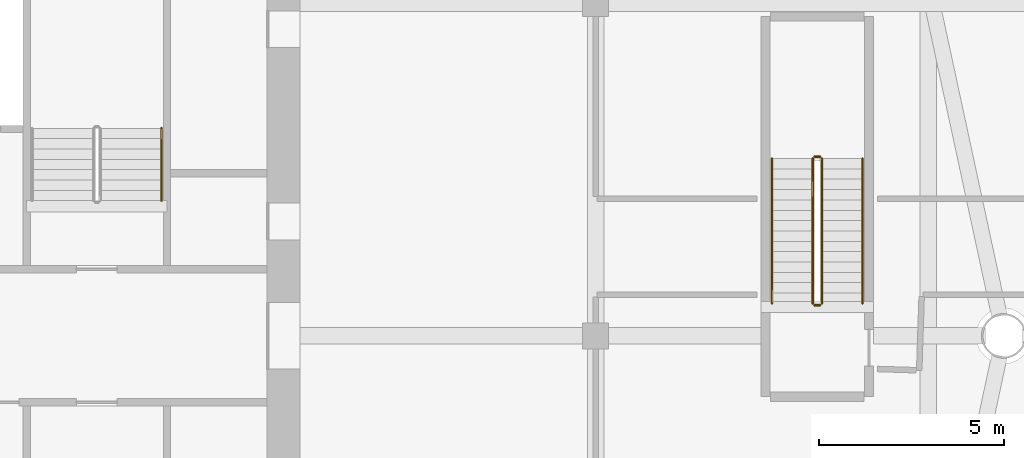
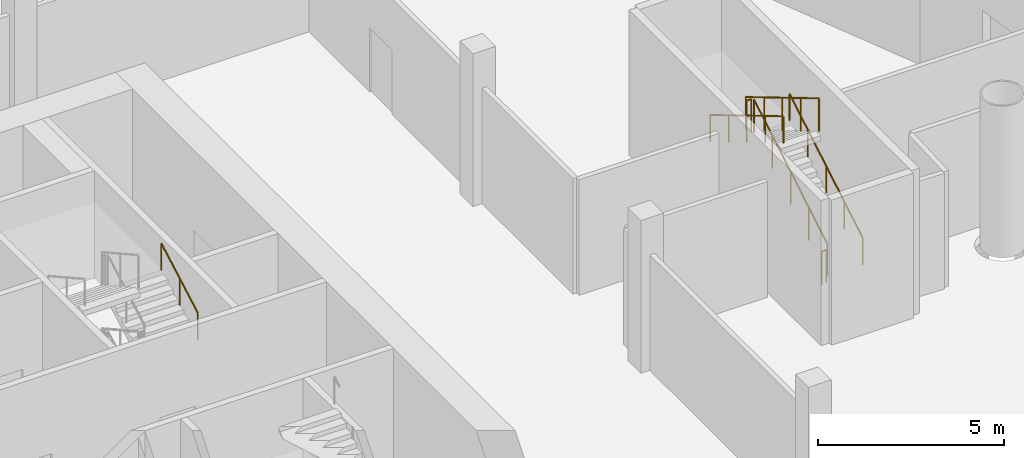
# One storey, part 21 of 22: 7 railings.
"""IFC4 building model written with IfcOpenShell, lengths in metres."""

import ifcopenshell
import ifcopenshell.guid

model = None  # the IFC model being written
_history = None  # IfcOwnerHistory: only IFC2X3 demands one
_inside = {}  # id of a spatial element -> (the spatial element, [elements in it])
_under = {}  # id of a project, library or spatial element -> (it, [spatial elements below it])
_declared = {}  # id of a project -> (the project, [libraries it declares])
_typed = {}  # id of a type object -> (the type object, [elements of that type])
_made_of = {}  # id of a material, layer set ... -> (it, [elements and type objects made of it])


def new_model(schema):
    """Start an empty IFC model of exactly this schema.

    Asked for "IFC4X3", IfcOpenShell would pick the latest addendum, in which some entities
    have other attributes; the version numbers below select the first issue.
    IFC2X3 requires an IfcOwnerHistory on every rooted entity: one is made here for all.
    """
    global model, _history
    if schema == "IFC4X3":
        model = ifcopenshell.file(schema_version=(4, 3, 0, 0))
    else:
        model = ifcopenshell.file(schema=schema)
    _inside.clear()
    _under.clear()
    _declared.clear()
    _typed.clear()
    _made_of.clear()
    _history = None
    if model.schema == "IFC2X3":
        org = make("IfcOrganization", Name="unknown")
        user = make(
            "IfcPersonAndOrganization",
            ThePerson=make("IfcPerson", FamilyName="unknown"),
            TheOrganization=org,
        )
        app = make(
            "IfcApplication",
            ApplicationDeveloper=org,
            Version="unknown",
            ApplicationFullName="unknown",
            ApplicationIdentifier="unknown",
        )
        _history = make(
            "IfcOwnerHistory",
            OwningUser=user,
            OwningApplication=app,
            ChangeAction="ADDED",
            CreationDate=0,
        )
    return model


def make(cls, **values):
    """One entity of the class cls with the attributes given. An attribute that is None is left unset."""
    return model.create_entity(
        cls, **{name: value for name, value in values.items() if value is not None}
    )


def rooted(cls, **values):
    """An entity with a GlobalId (a new one), such as an element, a storey or a relation."""
    return make(cls, GlobalId=ifcopenshell.guid.new(), OwnerHistory=_history, **values)


def si_unit(unit_type, name, prefix=None):
    """IfcSIUnit, for example si_unit("LENGTHUNIT", "METRE", prefix="MILLI")."""
    return make("IfcSIUnit", UnitType=unit_type, Prefix=prefix, Name=name)


def assignment(units):
    """IfcUnitAssignment: the units of a project."""
    return None if units is None else make("IfcUnitAssignment", Units=units)


def point(xyz):
    """IfcCartesianPoint."""
    return None if xyz is None else make("IfcCartesianPoint", Coordinates=xyz)


def direction(xyz):
    """IfcDirection."""
    return None if xyz is None else make("IfcDirection", DirectionRatios=xyz)


def frame(location, z_axis=None, x_axis=None):
    """IfcAxis2Placement3D, a coordinate frame: its origin and axes. An axis left out is left unset."""
    return make(
        "IfcAxis2Placement3D",
        Location=point(location),
        Axis=direction(z_axis),
        RefDirection=direction(x_axis),
    )


def frame_2d(location, x_axis=None):
    """IfcAxis2Placement2D, a coordinate frame in the plane: its origin and x axis."""
    return make(
        "IfcAxis2Placement2D", Location=point(location), RefDirection=direction(x_axis)
    )


def origin():
    """The frame at (0, 0, 0) with its axes left unset."""
    return frame((0.0, 0.0, 0.0))


def origin_2d():
    """The frame at (0, 0) in the plane with its x axis left unset."""
    return frame_2d((0.0, 0.0))


def place(relative_to, where):
    """IfcLocalPlacement: puts the frame where relative to a parent placement (None: the world)."""
    return make(
        "IfcLocalPlacement", PlacementRelTo=relative_to, RelativePlacement=where
    )


def context(
    kind, dimensions, precision=None, world=None, true_north=None, identifier=None
):
    """IfcGeometricRepresentationContext, for example the 3D "Model" context."""
    return make(
        "IfcGeometricRepresentationContext",
        ContextIdentifier=identifier,
        ContextType=kind,
        CoordinateSpaceDimension=dimensions,
        Precision=precision,
        WorldCoordinateSystem=world,
        TrueNorth=true_north,
    )


def subcontext(parent, identifier, kind, view, scale=None):
    """IfcGeometricRepresentationSubContext, for example "Body" below "Model"."""
    return make(
        "IfcGeometricRepresentationSubContext",
        ContextIdentifier=identifier,
        ContextType=kind,
        ParentContext=parent,
        TargetScale=scale,
        TargetView=view,
    )


def project(units=None, contexts=None):
    """IfcProject with its units and contexts."""
    return rooted(
        "IfcProject",
        Name="project",
        RepresentationContexts=contexts,
        UnitsInContext=assignment(units),
    )


def spatial(cls, under=None, at=None, **own):
    """A site, building, storey or space (cls), placed at a placement, below another one or the project."""
    s = rooted(cls, ObjectPlacement=at, **own)
    if under is not None:
        _under.setdefault(under.id(), (under, []))[1].append(s)
    return s


def profile(cls, at=None, kind="AREA", **sizes):
    """A parametric profile (cls). Its sizes go by their IFC names, for example OverallWidth=200.0."""
    return make(cls, ProfileType=kind, Position=at, **sizes)


def circle(**sizes):
    """IfcCircleProfileDef."""
    return profile("IfcCircleProfileDef", **sizes)


def extrude(swept, where, along, depth):
    """IfcExtrudedAreaSolid: the profile swept, set in the frame where, extruded along a direction by depth."""
    return make(
        "IfcExtrudedAreaSolid",
        SweptArea=swept,
        Position=where,
        ExtrudedDirection=direction(along),
        Depth=depth,
    )


def shape(context_of_items, identifier, shape_type, items):
    """IfcShapeRepresentation: the items that make up one representation, for example the "Body"."""
    return make(
        "IfcShapeRepresentation",
        ContextOfItems=context_of_items,
        RepresentationIdentifier=identifier,
        RepresentationType=shape_type,
        Items=items,
    )


def material(Name=None, Category=None):
    """IfcMaterial."""
    return make("IfcMaterial", Name=Name, Category=Category)


def made_of(thing, what):
    """Note that an element or type object is made of a material, layer set ...; save() writes the relation."""
    if what is not None:
        _made_of.setdefault(what.id(), (what, []))[1].append(thing)
    return thing


def type_object(cls, material=None, **own):
    """A type object (cls), such as IfcWallType, which elements share."""
    return made_of(rooted(cls, **own), material)


def element(
    cls,
    number,
    at=None,
    inside=None,
    cuts=None,
    type_object=None,
    material=None,
    context=None,
    identifier="Body",
    shape_type=None,
    held_by="IfcProductDefinitionShape",
    body=None,
    shapes=None,
    **own,
):
    """One element of the class cls, such as IfcWall. Its Tag is "e" and its number.

    at: its placement. inside: the storey or other place that contains it. cuts: it is an
    opening in that element (IfcRelVoidsElement). A single representation is given by context,
    identifier, shape_type and body (its items); several are given by shapes. held_by: the class
    of the entity that holds the representations. save() writes the other relations.
    """
    e = rooted(cls, Tag="e%d" % number, ObjectPlacement=at, **own)
    if body is not None:
        shapes = [shape(context, identifier, shape_type, body)]
    if shapes is not None:
        e.Representation = make(held_by, Representations=shapes)
    if inside is not None:
        _inside.setdefault(inside.id(), (inside, []))[1].append(e)
    if cuts is not None:
        rooted(
            "IfcRelVoidsElement", RelatingBuildingElement=cuts, RelatedOpeningElement=e
        )
    if type_object is not None:
        _typed.setdefault(type_object.id(), (type_object, []))[1].append(e)
    return made_of(e, material)


def aggregate(whole, parts):
    """IfcRelAggregates: a whole, such as a stair, and the parts it consists of."""
    return rooted("IfcRelAggregates", RelatingObject=whole, RelatedObjects=parts)


def save(model, path):
    """Write the relations noted so far, then the file.

    IfcRelAggregates (storeys below a building ...), IfcRelContainedInSpatialStructure (elements
    in a storey), IfcRelDefinesByType, IfcRelAssociatesMaterial and IfcRelDeclares: one each for
    every whole, place, type object, material and project.
    """
    for whole, parts in _under.values():
        aggregate(whole, parts)
    for where, things in _inside.values():
        rooted(
            "IfcRelContainedInSpatialStructure",
            RelatedElements=things,
            RelatingStructure=where,
        )
    for kind, things in _typed.values():
        rooted("IfcRelDefinesByType", RelatedObjects=things, RelatingType=kind)
    for what, things in _made_of.values():
        rooted("IfcRelAssociatesMaterial", RelatedObjects=things, RelatingMaterial=what)
    for by, libraries in _declared.values():
        rooted("IfcRelDeclares", RelatingContext=by, RelatedDefinitions=libraries)
    model.write(path)


model = new_model("IFC4")

# Units and contexts
model_context = context("Model", 3, precision=1e-05, world=origin(), true_north=direction((0.0, 1.0)))
body_context = subcontext(model_context, "Body", "Model", "MODEL_VIEW")
ifc_project = project(units=[si_unit("LENGTHUNIT", "METRE"), si_unit("AREAUNIT", "SQUARE_METRE"), si_unit("VOLUMEUNIT", "CUBIC_METRE"), si_unit("PLANEANGLEUNIT", "RADIAN"), si_unit("MASSUNIT", "GRAM", prefix="KILO")], contexts=[model_context])

# Site, building, storey
site_placement = place(None, origin())
site = spatial("IfcSite", under=ifc_project, at=site_placement, CompositionType="ELEMENT")
building_placement = place(site_placement, origin())
building = spatial("IfcBuilding", under=site, at=building_placement, Name="Tarsis Ring Headquarters", CompositionType="ELEMENT")
storey_placement = place(building_placement, frame((0.0, 0.0, 25.0)))
storey = spatial("IfcBuildingStorey", under=building, at=storey_placement, Name="L04", CompositionType="ELEMENT", Elevation=25.0)

# Railings
ifc_material_1 = material(Name="Steel S355", Category="steel")
railing_type_1 = type_object("IfcRailingType", Name="Core stair handrail 900", PredefinedType="HANDRAIL", material=ifc_material_1)
railing_1_placement = place(storey_placement, frame((6.25, 3.659912109375, 2.65625)))
element("IfcRailing", 1, at=railing_1_placement, inside=storey, type_object=railing_type_1, Name="L04 ST2 stair handrail 3", PredefinedType="HANDRAIL", context=body_context, shape_type="SweptSolid", body=[
    extrude(circle(Radius=0.02392578125, at=origin_2d()), frame((0.0, 0.0, 0.8759765625), z_axis=(0.0, 0.873257974695, 0.487258155017), x_axis=(-1.0, 0.0, 0.0)), (0.0, 0.0, 1.0), 2.24462890625),
    extrude(circle(Radius=0.02099609375, at=origin_2d()), origin(), (0.0, 0.0, 1.0), 0.851806640625),
    extrude(circle(Radius=0.02099609375, at=origin_2d()), frame((0.0, 0.97998046875, 0.546875)), (0.0, 0.0, 1.0), 0.851806640625),
    extrude(circle(Radius=0.02099609375, at=origin_2d()), frame((0.0, 1.960205078125, 1.09375)), (0.0, 0.0, 1.0), 0.851806640625),
])
ifc_material_2 = material(Name="Stainless steel", Category="steel")
railing_type_2 = type_object("IfcRailingType", Name="PO-RL-G", PredefinedType="GUARDRAIL", material=ifc_material_2)
railing_2_placement = place(storey_placement, frame((24.125, 0.8798828125, 0.166748046875)))
element("IfcRailing", 2, at=railing_2_placement, inside=storey, type_object=railing_type_2, Name="L04 PS1 stair guard 1", PredefinedType="GUARDRAIL", context=body_context, shape_type="SweptSolid", body=[
    extrude(circle(Radius=0.02392578125, at=origin_2d()), frame((0.0, 0.0, 1.076171875), z_axis=(0.0, 0.859310244771, 0.511454693235), x_axis=(-1.0, 0.0, 0.0)), (0.0, 0.0, 1.0), 4.56201171875),
    extrude(circle(Radius=0.02099609375, at=origin_2d()), origin(), (0.0, 0.0, 1.0), 1.052001953125),
    extrude(circle(Radius=0.02099609375, at=origin_2d()), frame((0.0, 0.97998046875, 0.583251953125)), (0.0, 0.0, 1.0), 1.052001953125),
    extrude(circle(Radius=0.02099609375, at=origin_2d()), frame((0.0, 1.9599609375, 1.16650390625)), (0.0, 0.0, 1.0), 1.052001953125),
    extrude(circle(Radius=0.02099609375, at=origin_2d()), frame((0.0, 2.940185546875, 1.75)), (0.0, 0.0, 1.0), 1.052001953125),
    extrude(circle(Radius=0.02099609375, at=origin_2d()), frame((0.0, 3.920166015625, 2.333251953125)), (0.0, 0.0, 1.0), 1.052001953125),
])
railing_3_placement = place(storey_placement, frame((24.074951171875, 4.85009765625, 2.5)))
element("IfcRailing", 3, at=railing_3_placement, inside=storey, type_object=railing_type_2, Name="L04 PS1 stair guard 2", PredefinedType="GUARDRAIL", context=body_context, shape_type="SweptSolid", body=[
    extrude(circle(Radius=0.02392578125, at=origin_2d()), frame((0.0, 0.0, 1.076171875), z_axis=(-1.0, 0.0, 0.0), x_axis=(0.0, -1.0, 0.0)), (0.0, 0.0, 1.0), 0.14990234375),
    extrude(circle(Radius=0.02099609375, at=origin_2d()), origin(), (0.0, 0.0, 1.0), 1.052001953125),
    extrude(circle(Radius=0.02099609375, at=origin_2d()), frame((-0.14990234375, 0.0, 0.0)), (0.0, 0.0, 1.0), 1.052001953125),
])
railing_4_placement = place(storey_placement, frame((23.875, 4.800048828125, 2.666748046875)))
element("IfcRailing", 4, at=railing_4_placement, inside=storey, type_object=railing_type_2, Name="L04 PS1 stair guard 3", PredefinedType="GUARDRAIL", context=body_context, shape_type="SweptSolid", body=[
    extrude(circle(Radius=0.02392578125, at=origin_2d()), frame((0.0, 0.0, 1.076171875), z_axis=(0.0, -0.859310244771, 0.511454693235), x_axis=(1.0, 0.0, 0.0)), (0.0, 0.0, 1.0), 4.56201171875),
    extrude(circle(Radius=0.02099609375, at=origin_2d()), origin(), (0.0, 0.0, 1.0), 1.052001953125),
    extrude(circle(Radius=0.02099609375, at=origin_2d()), frame((0.0, -0.97998046875, 0.583251953125)), (0.0, 0.0, 1.0), 1.052001953125),
    extrude(circle(Radius=0.02099609375, at=origin_2d()), frame((0.0, -1.9599609375, 1.16650390625)), (0.0, 0.0, 1.0), 1.052001953125),
    extrude(circle(Radius=0.02099609375, at=origin_2d()), frame((0.0, -2.940185546875, 1.75)), (0.0, 0.0, 1.0), 1.052001953125),
    extrude(circle(Radius=0.02099609375, at=origin_2d()), frame((0.0, -3.920166015625, 2.333251953125)), (0.0, 0.0, 1.0), 1.052001953125),
])
railing_5_placement = place(storey_placement, frame((24.074951171875, 0.830078125, 0.0)))
element("IfcRailing", 5, at=railing_5_placement, inside=storey, type_object=railing_type_2, Name="L04 PS1 stair guard 4", PredefinedType="GUARDRAIL", context=body_context, shape_type="SweptSolid", body=[
    extrude(circle(Radius=0.02392578125, at=origin_2d()), frame((0.0, 0.0, 1.076171875), z_axis=(-1.0, 0.0, 0.0), x_axis=(0.0, -1.0, 0.0)), (0.0, 0.0, 1.0), 0.14990234375),
    extrude(circle(Radius=0.02099609375, at=origin_2d()), origin(), (0.0, 0.0, 1.0), 1.052001953125),
    extrude(circle(Radius=0.02099609375, at=origin_2d()), frame((-0.14990234375, 0.0, 0.0)), (0.0, 0.0, 1.0), 1.052001953125),
])
railing_type_3 = type_object("IfcRailingType", Name="PO-RL-H", PredefinedType="HANDRAIL", material=ifc_material_2)
railing_6_placement = place(storey_placement, frame((25.22509765625, 0.8798828125, 0.166748046875)))
element("IfcRailing", 6, at=railing_6_placement, inside=storey, type_object=railing_type_3, Name="L04 PS1 stair handrail 1", PredefinedType="HANDRAIL", context=body_context, shape_type="SweptSolid", body=[
    extrude(circle(Radius=0.02392578125, at=origin_2d()), frame((0.0, 0.0, 0.8759765625), z_axis=(0.0, 0.859310244771, 0.511454693235), x_axis=(-1.0, 0.0, 0.0)), (0.0, 0.0, 1.0), 4.56201171875),
    extrude(circle(Radius=0.02099609375, at=origin_2d()), origin(), (0.0, 0.0, 1.0), 0.851806640625),
    extrude(circle(Radius=0.02099609375, at=origin_2d()), frame((0.0, 0.97998046875, 0.583251953125)), (0.0, 0.0, 1.0), 0.851806640625),
    extrude(circle(Radius=0.02099609375, at=origin_2d()), frame((0.0, 1.9599609375, 1.16650390625)), (0.0, 0.0, 1.0), 0.851806640625),
    extrude(circle(Radius=0.02099609375, at=origin_2d()), frame((0.0, 2.940185546875, 1.75)), (0.0, 0.0, 1.0), 0.851806640625),
    extrude(circle(Radius=0.02099609375, at=origin_2d()), frame((0.0, 3.920166015625, 2.333251953125)), (0.0, 0.0, 1.0), 0.851806640625),
])
railing_7_placement = place(storey_placement, frame((22.77490234375, 4.800048828125, 2.666748046875)))
element("IfcRailing", 7, at=railing_7_placement, inside=storey, type_object=railing_type_3, Name="L04 PS1 stair handrail 2", PredefinedType="HANDRAIL", context=body_context, shape_type="SweptSolid", body=[
    extrude(circle(Radius=0.02392578125, at=origin_2d()), frame((0.0, 0.0, 0.8759765625), z_axis=(0.0, -0.859310244771, 0.511454693235), x_axis=(1.0, 0.0, 0.0)), (0.0, 0.0, 1.0), 4.56201171875),
    extrude(circle(Radius=0.02099609375, at=origin_2d()), origin(), (0.0, 0.0, 1.0), 0.851806640625),
    extrude(circle(Radius=0.02099609375, at=origin_2d()), frame((0.0, -0.97998046875, 0.583251953125)), (0.0, 0.0, 1.0), 0.851806640625),
    extrude(circle(Radius=0.02099609375, at=origin_2d()), frame((0.0, -1.9599609375, 1.16650390625)), (0.0, 0.0, 1.0), 0.851806640625),
    extrude(circle(Radius=0.02099609375, at=origin_2d()), frame((0.0, -2.940185546875, 1.75)), (0.0, 0.0, 1.0), 0.851806640625),
    extrude(circle(Radius=0.02099609375, at=origin_2d()), frame((0.0, -3.920166015625, 2.333251953125)), (0.0, 0.0, 1.0), 0.851806640625),
])

save(model, "model.ifc")
